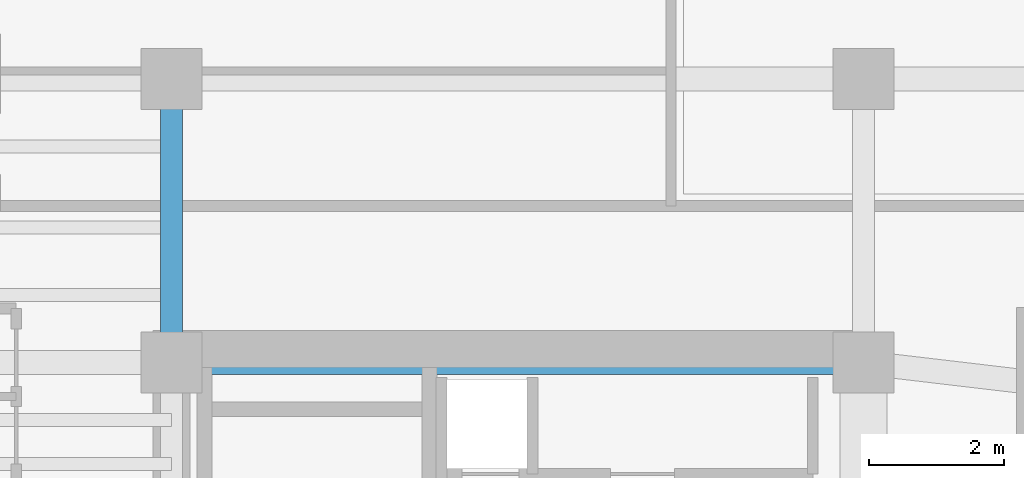
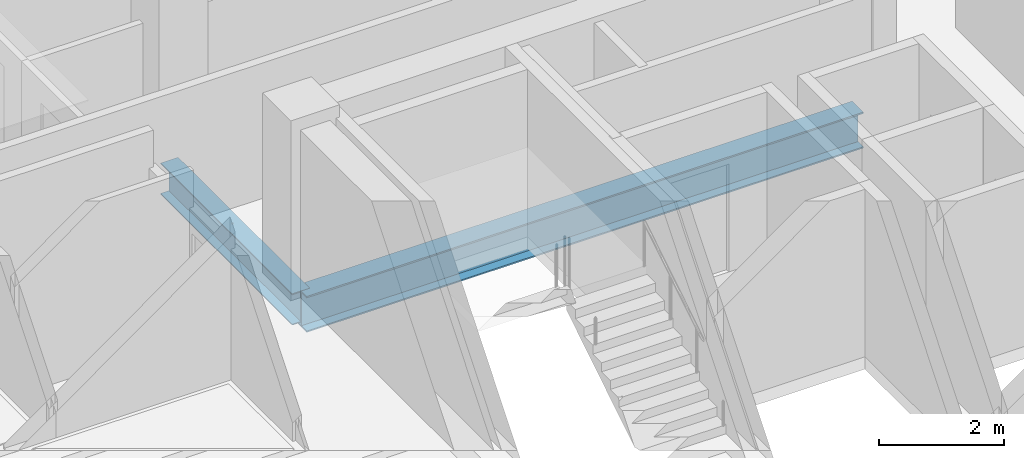
# One storey, part 10 of 24: 2 beams.
"""IFC4 building model written with IfcOpenShell, lengths in metres."""

from ifc_helpers import new_model, si_unit, direction, frame, origin, origin_2d, place, context, subcontext, project, spatial, i_section, extrude, source, transform, mapped, material, material_profile, profile_set, type_object, element, save


model = new_model("IFC4")

# Units and contexts
model_context = context("Model", 3, precision=1e-05, world=origin(), true_north=direction((0.0, 1.0)))
body_context = subcontext(model_context, "Body", "Model", "MODEL_VIEW")
ifc_project = project(units=[si_unit("LENGTHUNIT", "METRE"), si_unit("AREAUNIT", "SQUARE_METRE"), si_unit("VOLUMEUNIT", "CUBIC_METRE"), si_unit("PLANEANGLEUNIT", "RADIAN"), si_unit("MASSUNIT", "GRAM", prefix="KILO")], contexts=[model_context])

# Site, building, storey
site_placement = place(None, origin())
site = spatial("IfcSite", under=ifc_project, at=site_placement, CompositionType="ELEMENT")
building_placement = place(site_placement, origin())
building = spatial("IfcBuilding", under=site, at=building_placement, Name="Valdorenza Pilgrim Sanctuary Tower", CompositionType="ELEMENT")
storey_placement = place(building_placement, frame((0.0, 0.0, 205.5)))
storey = spatial("IfcBuildingStorey", under=building, at=storey_placement, Name="L52", CompositionType="ELEMENT", Elevation=205.5)

# Beams
ifc_material = material(Name="Steel ASTM A992 Grade 50", Category="steel")
ifc_material_profile_1 = material_profile(ifc_material, i_section(OverallWidth=0.323974609375, OverallDepth=0.611083984375, WebThickness=0.0126953125, FlangeThickness=0.01904296875, at=origin_2d()), Name="W24X104")
ifc_profile_set_1 = profile_set([ifc_material_profile_1], Name="Steel ASTM A992 Grade 50")
beam_type_1 = type_object("IfcBeamType", Name="STR-BM-GRD-W24B", PredefinedType="BEAM", material=ifc_profile_set_1)
shared_shape_1 = source(origin(), body_context, "Body", "SweptSolid", [
    extrude(i_section(OverallWidth=0.323974609375, OverallDepth=0.611083984375, WebThickness=0.0126953125, FlangeThickness=0.01904296875, at=origin_2d()), origin(), (0.0, 0.0, 1.0), 4.199951171875),
])
beam_1_placement = place(storey_placement, frame((-22.64990234375, 10.60009765625, -0.54541015625), z_axis=(0.0, 1.0, 0.0), x_axis=(-1.0, 0.0, 0.0)))
element("IfcBeam", 1, at=beam_1_placement, inside=storey, type_object=beam_type_1, Name="L52 Core Tie Girder CA-W-N1N2", PredefinedType="BEAM", context=body_context, shape_type="MappedRepresentation", body=[
    mapped(shared_shape_1, transform((0.0, 0.0, 0.0), x_axis=(1.0, 0.0, 0.0), y_axis=(0.0, 1.0, 0.0), z_axis=(0.0, 0.0, 1.0), scale=1.0)),
])
ifc_material_profile_2 = material_profile(ifc_material, i_section(OverallWidth=0.35595703125, OverallDepth=0.700927734375, WebThickness=0.016845703125, FlangeThickness=0.02734375, at=origin_2d()), Name="W27X161")
ifc_profile_set_2 = profile_set([ifc_material_profile_2], Name="Steel ASTM A992 Grade 50")
beam_type_2 = type_object("IfcBeamType", Name="STR-BM-GRD-W27", PredefinedType="BEAM", material=ifc_profile_set_2)
shared_shape_2 = source(origin(), body_context, "Body", "SweptSolid", [
    extrude(i_section(OverallWidth=0.35595703125, OverallDepth=0.700927734375, WebThickness=0.016845703125, FlangeThickness=0.02734375, at=origin_2d()), origin(), (0.0, 0.0, 1.0), 10.25),
])
beam_2_placement = place(storey_placement, frame((-22.64990234375, 10.60009765625, -0.590576171875), z_axis=(1.0, 0.0, 0.0), x_axis=(0.0, 1.0, 0.0)))
element("IfcBeam", 2, at=beam_2_placement, inside=storey, type_object=beam_type_2, Name="L52 Floor Girder CA-XC-N1", PredefinedType="BEAM", context=body_context, shape_type="MappedRepresentation", body=[
    mapped(shared_shape_2, transform((0.0, 0.0, 0.0), x_axis=(1.0, 0.0, 0.0), y_axis=(0.0, 1.0, 0.0), z_axis=(0.0, 0.0, 1.0), scale=1.0)),
])

save(model, "model.ifc")
